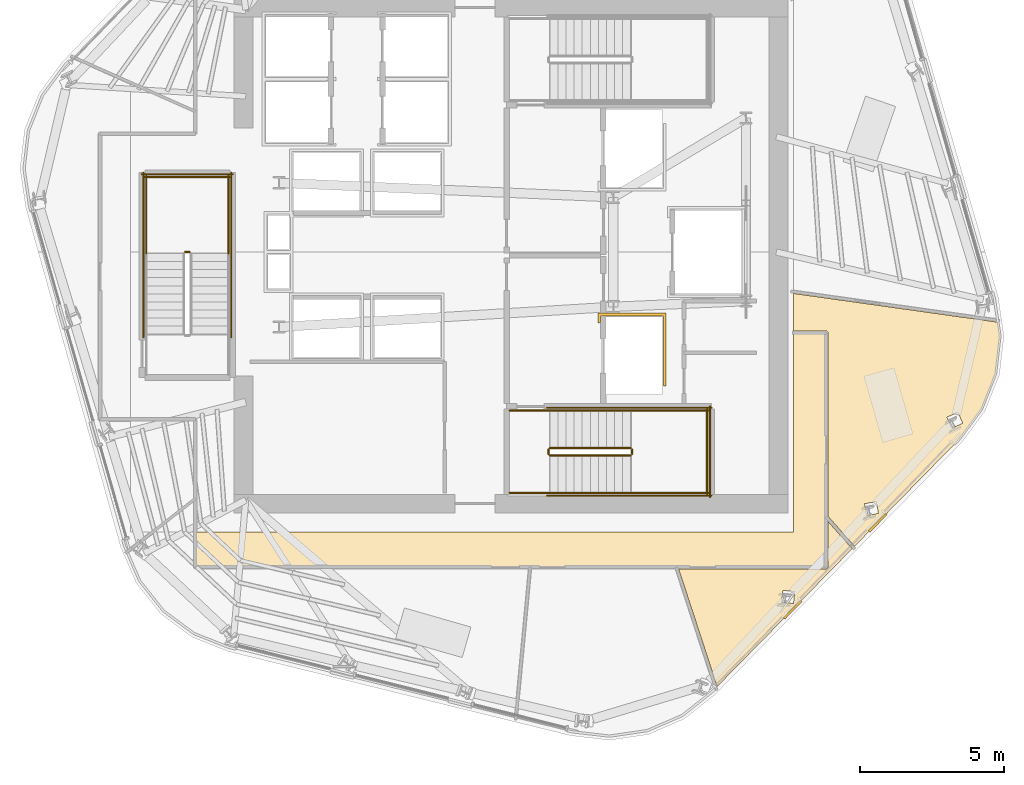
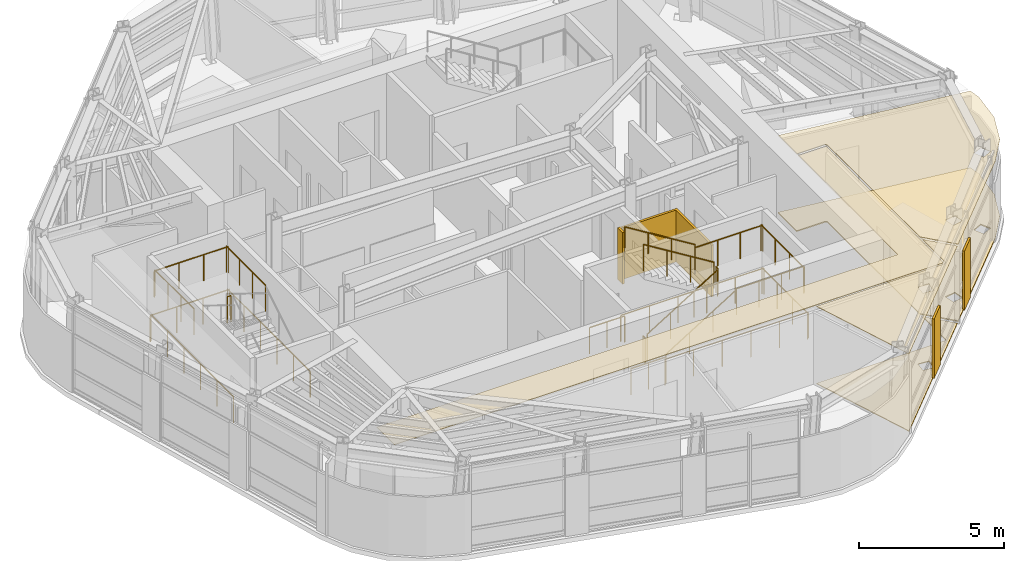
# One storey, part 10 of 13: 21 railings, 8 coverings.
"""IFC4 building model written with IfcOpenShell, lengths in metres."""

from ifc_helpers import new_model, si_unit, direction, frame, origin, origin_2d, place, context, subcontext, project, spatial, polyline, circle, outline, extrude, material, layer, layer_set, type_object, element, save


model = new_model("IFC4")

# Units and contexts
model_context = context("Model", 3, precision=1e-05, world=origin(), true_north=direction((0.0, 1.0)))
body_context = subcontext(model_context, "Body", "Model", "MODEL_VIEW")
ifc_project = project(units=[si_unit("LENGTHUNIT", "METRE"), si_unit("AREAUNIT", "SQUARE_METRE"), si_unit("VOLUMEUNIT", "CUBIC_METRE"), si_unit("PLANEANGLEUNIT", "RADIAN"), si_unit("MASSUNIT", "GRAM", prefix="KILO")], contexts=[model_context])

# Site, building, storey
site_placement = place(None, origin())
site = spatial("IfcSite", under=ifc_project, at=site_placement, CompositionType="ELEMENT")
building_placement = place(site_placement, origin())
building = spatial("IfcBuilding", under=site, at=building_placement, Name="Valkerne Bourse Tower", CompositionType="ELEMENT")
storey_placement = place(building_placement, frame((0.0, 0.0, 220.800048828125)))
storey = spatial("IfcBuildingStorey", under=building, at=storey_placement, Name="L56", CompositionType="ELEMENT", Elevation=220.800048828125)

# Coverings
ifc_material_1 = material(Name="Mineral Fiber Acoustic Ceiling Tile", Category="acoustic")
ifc_layer_1 = layer(ifc_material_1, 0.02490234375)
ifc_layer_set_1 = layer_set([ifc_layer_1], Name="Mineral Fiber Acoustic Ceiling Tile")
covering_type_1 = type_object("IfcCoveringType", Name="COV-CEIL-ACT", PredefinedType="CEILING", material=ifc_layer_set_1)
covering_1_placement = place(storey_placement, frame((0.0, 0.0, 3.25)))
element("IfcCovering", 1, at=covering_1_placement, inside=storey, type_object=covering_type_1, Name="L56 Suspended Ceiling 04", PredefinedType="CEILING", context=body_context, shape_type="SweptSolid", body=[
    extrude(outline(polyline([(57.74267578125, 16.0146484375), (57.775390625, 16.038330078125), (57.788818359375, 16.07666015625), (57.7890625, 17.661376953125), (58.62890625, 16.715087890625), (53.94677734375, 11.931396484375), (52.61328125, 16.010986328125), (57.74267578125, 16.0146484375)]), holes=[polyline([(56.63720703125, 15.225830078125), (56.227783203125, 15.2666015625), (56.22607421875, 15.265380859375), (56.185546875, 14.853271484375), (56.59521484375, 14.8125), (56.5966796875, 14.813720703125), (56.63720703125, 15.225830078125)])]), origin(), (0.0, 0.0, 1.0), 0.02490234375),
])
covering_2_placement = place(storey_placement, frame((0.0, 0.0, 3.25)))
element("IfcCovering", 2, at=covering_2_placement, inside=storey, type_object=covering_type_1, Name="L56 Suspended Ceiling 06", PredefinedType="CEILING", context=body_context, shape_type="SweptSolid", body=[
    extrude(outline(polyline([(63.11279296875, 21.5537109375), (62.320556640625, 20.48681640625), (58.7119140625, 16.7998046875), (57.7890625, 17.839111328125), (57.786865234375, 24.217529296875), (57.76171875, 24.255126953125), (57.723388671875, 24.268798828125), (56.60009765625, 24.26904296875), (56.60009765625, 25.56298828125), (63.6796875, 24.568115234375), (63.750244140625, 24.09130859375), (63.598388671875, 22.780517578125), (63.11279296875, 21.5537109375)]), holes=[polyline([(59.541259765625, 17.936767578125), (59.468017578125, 18.34423828125), (59.06298828125, 18.272216796875), (59.0615234375, 18.2705078125), (59.134765625, 17.863037109375), (59.539794921875, 17.93505859375), (59.541259765625, 17.936767578125)]), polyline([(62.4658203125, 21.067138671875), (62.29150390625, 21.442626953125), (61.91796875, 21.2705078125), (61.9169921875, 21.268310546875), (62.09130859375, 20.892578125), (62.46484375, 21.06494140625), (62.4658203125, 21.067138671875)])]), origin(), (0.0, 0.0, 1.0), 0.02490234375),
])
ifc_material_2 = material(Name="Bronze Anodised Aluminium AA 6063-T6", Category="aluminium")
ifc_layer_2 = layer(ifc_material_2, 0.030029296875)
ifc_layer_set_2 = layer_set([ifc_layer_2], Name="Bronze Anodised Aluminium AA 6063-T6")
covering_type_2 = type_object("IfcCoveringType", Name="COV-CEIL-METAL", PredefinedType="CEILING", material=ifc_layer_set_2)
covering_3_placement = place(storey_placement, frame((0.0, 0.0, 3.25)))
element("IfcCovering", 3, at=covering_3_placement, inside=storey, type_object=covering_type_2, Name="L56 Suspended Ceiling 01", PredefinedType="CEILING", context=body_context, shape_type="SweptSolid", body=[
    extrude(outline(polyline([(35.85400390625, 17.300048828125), (56.60009765625, 17.300048828125), (56.60009765625, 24.196044921875), (57.716064453125, 24.196044921875), (57.716064453125, 16.083984375), (35.85400390625, 16.083984375), (35.85400390625, 17.300048828125)])), origin(), (0.0, 0.0, 1.0), 0.02490234375),
])
ifc_layer_3 = layer(ifc_material_2, 0.06005859375)
ifc_layer_set_3 = layer_set([ifc_layer_3], Name="Bronze Anodised Aluminium AA 6063-T6")
covering_type_3 = type_object("IfcCoveringType", Name="COV-CRN-ALUM", PredefinedType="CLADDING", material=ifc_layer_set_3)
covering_4_placement = place(storey_placement, origin())
element("IfcCovering", 4, at=covering_4_placement, inside=storey, type_object=covering_type_3, Name="L56 Wind-Shaped Corner Aluminium Cladding 02", PredefinedType="CLADDING", context=body_context, shape_type="SweptSolid", body=[
    extrude(outline(polyline([(59.248046875, 17.284912109375), (59.190673828125, 17.340576171875), (59.778076171875, 17.94091796875), (59.835693359375, 17.885009765625), (59.248046875, 17.284912109375)])), origin(), (0.0, 0.0, 1.0), 2.5),
])
covering_5_placement = place(storey_placement, origin())
element("IfcCovering", 5, at=covering_5_placement, inside=storey, type_object=covering_type_3, Name="L56 Wind-Shaped Corner Aluminium Cladding 03", PredefinedType="CLADDING", context=body_context, shape_type="SweptSolid", body=[
    extrude(outline(polyline([(56.302001953125, 14.274658203125), (56.244384765625, 14.330078125), (56.831787109375, 14.930419921875), (56.889404296875, 14.874755859375), (56.302001953125, 14.274658203125)])), origin(), (0.0, 0.0, 1.0), 2.5),
])
ifc_material_3 = material(Name="Galvanised Painted Steel", Category="steel")
ifc_layer_4 = layer(ifc_material_3, 0.044921875)
ifc_layer_set_4 = layer_set([ifc_layer_4], Name="Galvanised Painted Steel")
covering_type_4 = type_object("IfcCoveringType", Name="COV-FLR-RAF", PredefinedType="FLOORING", material=ifc_layer_set_4)
covering_6_placement = place(storey_placement, origin())
element("IfcCovering", 6, at=covering_6_placement, inside=storey, type_object=covering_type_4, Name="L56 Floor Finish 06", PredefinedType="FLOORING", context=body_context, shape_type="SweptSolid", body=[
    extrude(outline(polyline([(63.11279296875, 21.5537109375), (62.320556640625, 20.48681640625), (58.7119140625, 16.7998046875), (57.7890625, 17.839111328125), (57.786865234375, 24.217529296875), (57.76171875, 24.255126953125), (57.723388671875, 24.268798828125), (56.60009765625, 24.26904296875), (56.60009765625, 25.56298828125), (63.6796875, 24.568115234375), (63.750244140625, 24.09130859375), (63.598388671875, 22.780517578125), (63.11279296875, 21.5537109375)]), holes=[polyline([(59.541259765625, 17.936767578125), (59.468017578125, 18.34423828125), (59.06298828125, 18.272216796875), (59.0615234375, 18.2705078125), (59.134765625, 17.863037109375), (59.539794921875, 17.93505859375), (59.541259765625, 17.936767578125)]), polyline([(62.4658203125, 21.067138671875), (62.29150390625, 21.442626953125), (61.91796875, 21.2705078125), (61.9169921875, 21.268310546875), (62.09130859375, 20.892578125), (62.46484375, 21.06494140625), (62.4658203125, 21.067138671875)])]), origin(), (0.0, 0.0, 1.0), 0.044921875),
])
ifc_material_4 = material(Name="Polished Granite Stone", Category="masonry")
ifc_layer_5 = layer(ifc_material_4, 0.030029296875)
ifc_layer_set_5 = layer_set([ifc_layer_5], Name="Polished Granite Stone")
covering_type_5 = type_object("IfcCoveringType", Name="COV-FLR-TERRAZZO", PredefinedType="FLOORING", material=ifc_layer_set_5)
covering_7_placement = place(storey_placement, origin())
element("IfcCovering", 7, at=covering_7_placement, inside=storey, type_object=covering_type_5, Name="L56 Floor Finish 04", PredefinedType="FLOORING", context=body_context, shape_type="SweptSolid", body=[
    extrude(outline(polyline([(57.74267578125, 16.0146484375), (57.775390625, 16.038330078125), (57.788818359375, 16.07666015625), (57.7890625, 17.661376953125), (58.62890625, 16.715087890625), (53.94677734375, 11.931396484375), (52.61328125, 16.010986328125), (57.74267578125, 16.0146484375)]), holes=[polyline([(56.63720703125, 15.225830078125), (56.227783203125, 15.2666015625), (56.22607421875, 15.265380859375), (56.185546875, 14.853271484375), (56.59521484375, 14.8125), (56.5966796875, 14.813720703125), (56.63720703125, 15.225830078125)])]), origin(), (0.0, 0.0, 1.0), 0.030029296875),
])
ifc_material_5 = material(Name="Gypsum Shaftwall Liner Board", Category="gypsum")
ifc_layer_6 = layer(ifc_material_5, 0.080078125)
ifc_layer_set_6 = layer_set([ifc_layer_6], Name="Gypsum Shaftwall Liner Board")
covering_type_6 = type_object("IfcCoveringType", Name="COV-SHF-CLAD", PredefinedType="CLADDING", material=ifc_layer_set_6)
covering_8_placement = place(storey_placement, origin())
element("IfcCovering", 8, at=covering_8_placement, inside=storey, type_object=covering_type_6, Name="L56 Hoistway & Riser Shaftwall Liner 05", PredefinedType="CLADDING", context=body_context, shape_type="SweptSolid", body=[
    extrude(outline(polyline([(52.179931640625, 22.35009765625), (52.090087890625, 22.35009765625), (52.090087890625, 24.7900390625), (49.909912109375, 24.7900390625), (49.909912109375, 24.560791015625), (49.869384765625, 24.550537109375), (49.827880859375, 24.53564453125), (49.820068359375, 24.531982421875), (49.820068359375, 24.8798828125), (52.179931640625, 24.8798828125), (52.179931640625, 22.35009765625)])), origin(), (0.0, 0.0, 1.0), 2.179931640625),
])

# Railings
railing_type_1 = type_object("IfcRailingType", Name="RLG-ST-GUARD-1120", PredefinedType="GUARDRAIL", material=ifc_material_3)
railing_1_placement = place(storey_placement, frame((48.14990234375, 19.949951171875, 0.172607421875)))
element("IfcRailing", 9, at=railing_1_placement, inside=storey, type_object=railing_type_1, Name="L56 ST-1 stair guard 1", PredefinedType="GUARDRAIL", context=body_context, shape_type="SweptSolid", body=[
    extrude(circle(Radius=0.02392578125, at=origin_2d()), frame((0.0, 0.0, 1.09619140625), z_axis=(0.851089632645, 0.0, 0.525020415988), x_axis=(0.0, 1.0, 0.0)), (0.0, 0.0, 1.0), 3.2900390625),
    extrude(circle(Radius=0.02099609375, at=origin_2d()), origin(), (0.0, 0.0, 1.0), 1.072021484375),
    extrude(circle(Radius=0.02099609375, at=origin_2d()), frame((0.933349609375, 0.0, 0.57568359375)), (0.0, 0.0, 1.0), 1.072021484375),
    extrude(circle(Radius=0.02099609375, at=origin_2d()), frame((1.86669921875, 0.0, 1.151611328125)), (0.0, 0.0, 1.0), 1.072021484375),
    extrude(circle(Radius=0.02099609375, at=origin_2d()), frame((2.800048828125, 0.0, 1.727294921875)), (0.0, 0.0, 1.0), 1.072021484375),
])
railing_2_placement = place(storey_placement, frame((51.0, 20.0, 1.89990234375)))
element("IfcRailing", 10, at=railing_2_placement, inside=storey, type_object=railing_type_1, Name="L56 ST-1 stair guard 2", PredefinedType="GUARDRAIL", context=body_context, shape_type="SweptSolid", body=[
    extrude(circle(Radius=0.02392578125, at=origin_2d()), frame((0.0, 0.0, 1.09619140625), z_axis=(0.0, 1.0, 0.0), x_axis=(-1.0, 0.0, 0.0)), (0.0, 0.0, 1.0), 0.14990234375),
    extrude(circle(Radius=0.02099609375, at=origin_2d()), origin(), (0.0, 0.0, 1.0), 1.072021484375),
    extrude(circle(Radius=0.02099609375, at=origin_2d()), frame((0.0, 0.14990234375, 0.0)), (0.0, 0.0, 1.0), 1.072021484375),
])
for number, where, name in (
    (11, (50.949951171875, 18.64990234375, 1.89990234375), "L56 ST-1 stair guard 3"),
    (12, (50.949951171875, 21.5, 1.89990234375), "L56 ST-1 stair guard 4"),
):
    element("IfcRailing", number, at=place(storey_placement, frame(where)), inside=storey, type_object=railing_type_1, Name=name, PredefinedType="GUARDRAIL", context=body_context, shape_type="SweptSolid", body=[
        extrude(circle(Radius=0.02392578125, at=origin_2d()), frame((0.0, 0.0, 1.09619140625), z_axis=(1.0, 0.0, 0.0), x_axis=(0.0, 1.0, 0.0)), (0.0, 0.0, 1.0), 2.699951171875),
        extrude(circle(Radius=0.02099609375, at=origin_2d()), origin(), (0.0, 0.0, 1.0), 1.072021484375),
        extrude(circle(Radius=0.02099609375, at=origin_2d()), frame((0.89990234375, 0.0, 0.0)), (0.0, 0.0, 1.0), 1.072021484375),
        extrude(circle(Radius=0.02099609375, at=origin_2d()), frame((1.800048828125, 0.0, 0.0)), (0.0, 0.0, 1.0), 1.072021484375),
        extrude(circle(Radius=0.02099609375, at=origin_2d()), frame((2.699951171875, 0.0, 0.0)), (0.0, 0.0, 1.0), 1.072021484375),
    ])
railing_3_placement = place(storey_placement, frame((53.60009765625, 18.60009765625, 1.89990234375)))
element("IfcRailing", 13, at=railing_3_placement, inside=storey, type_object=railing_type_1, Name="L56 ST-1 stair guard 5", PredefinedType="GUARDRAIL", context=body_context, shape_type="SweptSolid", body=[
    extrude(circle(Radius=0.02392578125, at=origin_2d()), frame((0.0, 0.0, 1.09619140625), z_axis=(0.0, 1.0, 0.0), x_axis=(-1.0, 0.0, 0.0)), (0.0, 0.0, 1.0), 2.949951171875),
    extrude(circle(Radius=0.02099609375, at=origin_2d()), origin(), (0.0, 0.0, 1.0), 1.072021484375),
    extrude(circle(Radius=0.02099609375, at=origin_2d()), frame((0.0, 0.9833984375, 0.0)), (0.0, 0.0, 1.0), 1.072021484375),
    extrude(circle(Radius=0.02099609375, at=origin_2d()), frame((0.0, 1.966552734375, 0.0)), (0.0, 0.0, 1.0), 1.072021484375),
    extrude(circle(Radius=0.02099609375, at=origin_2d()), frame((0.0, 2.949951171875, 0.0)), (0.0, 0.0, 1.0), 1.072021484375),
])
railing_4_placement = place(storey_placement, frame((50.949951171875, 20.199951171875, 2.07275390625)))
element("IfcRailing", 14, at=railing_4_placement, inside=storey, type_object=railing_type_1, Name="L56 ST-1 stair guard 6", PredefinedType="GUARDRAIL", context=body_context, shape_type="SweptSolid", body=[
    extrude(circle(Radius=0.02392578125, at=origin_2d()), frame((0.0, 0.0, 1.09619140625), z_axis=(-0.851089632645, 0.0, 0.525020415988), x_axis=(0.0, -1.0, 0.0)), (0.0, 0.0, 1.0), 3.2900390625),
    extrude(circle(Radius=0.02099609375, at=origin_2d()), origin(), (0.0, 0.0, 1.0), 1.072021484375),
    extrude(circle(Radius=0.02099609375, at=origin_2d()), frame((-0.933349609375, 0.0, 0.57568359375)), (0.0, 0.0, 1.0), 1.072021484375),
    extrude(circle(Radius=0.02099609375, at=origin_2d()), frame((-1.86669921875, 0.0, 1.151611328125)), (0.0, 0.0, 1.0), 1.072021484375),
    extrude(circle(Radius=0.02099609375, at=origin_2d()), frame((-2.800048828125, 0.0, 1.727294921875)), (0.0, 0.0, 1.0), 1.072021484375),
])
railing_5_placement = place(storey_placement, frame((48.10009765625, 20.0, 0.0)))
element("IfcRailing", 15, at=railing_5_placement, inside=storey, type_object=railing_type_1, Name="L56 ST-1 stair guard 7", PredefinedType="GUARDRAIL", context=body_context, shape_type="SweptSolid", body=[
    extrude(circle(Radius=0.02392578125, at=origin_2d()), frame((0.0, 0.0, 1.09619140625), z_axis=(0.0, 1.0, 0.0), x_axis=(-1.0, 0.0, 0.0)), (0.0, 0.0, 1.0), 0.14990234375),
    extrude(circle(Radius=0.02099609375, at=origin_2d()), origin(), (0.0, 0.0, 1.0), 1.072021484375),
    extrude(circle(Radius=0.02099609375, at=origin_2d()), frame((0.0, 0.14990234375, 0.0)), (0.0, 0.0, 1.0), 1.072021484375),
])
for number, where, name in (
    (16, (46.75, 18.64990234375, 0.0), "L56 ST-1 stair guard 8"),
    (17, (46.75, 21.5, 0.0), "L56 ST-1 stair guard 9"),
):
    element("IfcRailing", number, at=place(storey_placement, frame(where)), inside=storey, type_object=railing_type_1, Name=name, PredefinedType="GUARDRAIL", context=body_context, shape_type="SweptSolid", body=[
        extrude(circle(Radius=0.02392578125, at=origin_2d()), frame((0.0, 0.0, 1.09619140625), z_axis=(1.0, 0.0, 0.0), x_axis=(0.0, 1.0, 0.0)), (0.0, 0.0, 1.0), 1.39990234375),
        extrude(circle(Radius=0.02099609375, at=origin_2d()), origin(), (0.0, 0.0, 1.0), 1.072021484375),
        extrude(circle(Radius=0.02099609375, at=origin_2d()), frame((0.699951171875, 0.0, 0.0)), (0.0, 0.0, 1.0), 1.072021484375),
        extrude(circle(Radius=0.02099609375, at=origin_2d()), frame((1.39990234375, 0.0, 0.0)), (0.0, 0.0, 1.0), 1.072021484375),
    ])
for number, where, name in (
    (18, (48.050048828125, 18.550048828125, 0.0), "L56 ST-1 stair guard 10"),
    (19, (48.050048828125, 21.60009765625, 0.0), "L56 ST-1 stair guard 11"),
):
    element("IfcRailing", number, at=place(storey_placement, frame(where)), inside=storey, type_object=railing_type_1, Name=name, PredefinedType="GUARDRAIL", context=body_context, shape_type="SweptSolid", body=[
        extrude(circle(Radius=0.02392578125, at=origin_2d()), frame((0.0, 0.0, 1.09619140625), z_axis=(1.0, 0.0, 0.0), x_axis=(0.0, 1.0, 0.0)), (0.0, 0.0, 1.0), 5.699951171875),
        extrude(circle(Radius=0.02099609375, at=origin_2d()), origin(), (0.0, 0.0, 1.0), 1.072021484375),
        extrude(circle(Radius=0.02099609375, at=origin_2d()), frame((1.139892578125, 0.0, 0.0)), (0.0, 0.0, 1.0), 1.072021484375),
        extrude(circle(Radius=0.02099609375, at=origin_2d()), frame((2.280029296875, 0.0, 0.0)), (0.0, 0.0, 1.0), 1.072021484375),
        extrude(circle(Radius=0.02099609375, at=origin_2d()), frame((3.419921875, 0.0, 0.0)), (0.0, 0.0, 1.0), 1.072021484375),
        extrude(circle(Radius=0.02099609375, at=origin_2d()), frame((4.56005859375, 0.0, 0.0)), (0.0, 0.0, 1.0), 1.072021484375),
        extrude(circle(Radius=0.02099609375, at=origin_2d()), frame((5.699951171875, 0.0, 0.0)), (0.0, 0.0, 1.0), 1.072021484375),
    ])
railing_6_placement = place(storey_placement, frame((53.699951171875, 18.5, 0.0)))
element("IfcRailing", 20, at=railing_6_placement, inside=storey, type_object=railing_type_1, Name="L56 ST-1 stair guard 12", PredefinedType="GUARDRAIL", context=body_context, shape_type="SweptSolid", body=[
    extrude(circle(Radius=0.02392578125, at=origin_2d()), frame((0.0, 0.0, 1.09619140625), z_axis=(0.0, 1.0, 0.0), x_axis=(-1.0, 0.0, 0.0)), (0.0, 0.0, 1.0), 3.14990234375),
    extrude(circle(Radius=0.02099609375, at=origin_2d()), origin(), (0.0, 0.0, 1.0), 1.072021484375),
    extrude(circle(Radius=0.02099609375, at=origin_2d()), frame((0.0, 1.050048828125, 0.0)), (0.0, 0.0, 1.0), 1.072021484375),
    extrude(circle(Radius=0.02099609375, at=origin_2d()), frame((0.0, 2.099853515625, 0.0)), (0.0, 0.0, 1.0), 1.072021484375),
    extrude(circle(Radius=0.02099609375, at=origin_2d()), frame((0.0, 3.14990234375, 0.0)), (0.0, 0.0, 1.0), 1.072021484375),
])
railing_7_placement = place(storey_placement, frame((35.64990234375, 27.0, 1.89990234375)))
element("IfcRailing", 21, at=railing_7_placement, inside=storey, type_object=railing_type_1, Name="L56 ST-3 stair guard 2", PredefinedType="GUARDRAIL", context=body_context, shape_type="SweptSolid", body=[
    extrude(circle(Radius=0.02392578125, at=origin_2d()), frame((0.0, 0.0, 1.09619140625), z_axis=(-1.0, 0.0, 0.0), x_axis=(0.0, -1.0, 0.0)), (0.0, 0.0, 1.0), 0.14990234375),
    extrude(circle(Radius=0.02099609375, at=origin_2d()), origin(), (0.0, 0.0, 1.0), 1.072021484375),
    extrude(circle(Radius=0.02099609375, at=origin_2d()), frame((-0.14990234375, 0.0, 0.0)), (0.0, 0.0, 1.0), 1.072021484375),
])
for number, where, name in (
    (22, (37.0, 26.949951171875, 1.89990234375), "L56 ST-3 stair guard 3"),
    (23, (34.14990234375, 26.949951171875, 1.89990234375), "L56 ST-3 stair guard 4"),
):
    element("IfcRailing", number, at=place(storey_placement, frame(where)), inside=storey, type_object=railing_type_1, Name=name, PredefinedType="GUARDRAIL", context=body_context, shape_type="SweptSolid", body=[
        extrude(circle(Radius=0.02392578125, at=origin_2d()), frame((0.0, 0.0, 1.09619140625), z_axis=(0.0, 1.0, 0.0), x_axis=(-1.0, 0.0, 0.0)), (0.0, 0.0, 1.0), 2.699951171875),
        extrude(circle(Radius=0.02099609375, at=origin_2d()), origin(), (0.0, 0.0, 1.0), 1.072021484375),
        extrude(circle(Radius=0.02099609375, at=origin_2d()), frame((0.0, 0.89990234375, 0.0)), (0.0, 0.0, 1.0), 1.072021484375),
        extrude(circle(Radius=0.02099609375, at=origin_2d()), frame((0.0, 1.800048828125, 0.0)), (0.0, 0.0, 1.0), 1.072021484375),
        extrude(circle(Radius=0.02099609375, at=origin_2d()), frame((0.0, 2.699951171875, 0.0)), (0.0, 0.0, 1.0), 1.072021484375),
    ])
railing_8_placement = place(storey_placement, frame((37.050048828125, 29.60009765625, 1.89990234375)))
element("IfcRailing", 24, at=railing_8_placement, inside=storey, type_object=railing_type_1, Name="L56 ST-3 stair guard 5", PredefinedType="GUARDRAIL", context=body_context, shape_type="SweptSolid", body=[
    extrude(circle(Radius=0.02392578125, at=origin_2d()), frame((0.0, 0.0, 1.09619140625), z_axis=(-1.0, 0.0, 0.0), x_axis=(0.0, -1.0, 0.0)), (0.0, 0.0, 1.0), 2.949951171875),
    extrude(circle(Radius=0.02099609375, at=origin_2d()), origin(), (0.0, 0.0, 1.0), 1.072021484375),
    extrude(circle(Radius=0.02099609375, at=origin_2d()), frame((-0.9833984375, 0.0, 0.0)), (0.0, 0.0, 1.0), 1.072021484375),
    extrude(circle(Radius=0.02099609375, at=origin_2d()), frame((-1.966552734375, 0.0, 0.0)), (0.0, 0.0, 1.0), 1.072021484375),
    extrude(circle(Radius=0.02099609375, at=origin_2d()), frame((-2.949951171875, 0.0, 0.0)), (0.0, 0.0, 1.0), 1.072021484375),
])
for number, where, name in (
    (25, (37.10009765625, 24.050048828125, 0.0), "L56 ST-3 stair guard 10"),
    (26, (34.050048828125, 24.050048828125, 0.0), "L56 ST-3 stair guard 11"),
):
    element("IfcRailing", number, at=place(storey_placement, frame(where)), inside=storey, type_object=railing_type_1, Name=name, PredefinedType="GUARDRAIL", context=body_context, shape_type="SweptSolid", body=[
        extrude(circle(Radius=0.02392578125, at=origin_2d()), frame((0.0, 0.0, 1.09619140625), z_axis=(0.0, 1.0, 0.0), x_axis=(-1.0, 0.0, 0.0)), (0.0, 0.0, 1.0), 5.699951171875),
        extrude(circle(Radius=0.02099609375, at=origin_2d()), origin(), (0.0, 0.0, 1.0), 1.072021484375),
        extrude(circle(Radius=0.02099609375, at=origin_2d()), frame((0.0, 1.139892578125, 0.0)), (0.0, 0.0, 1.0), 1.072021484375),
        extrude(circle(Radius=0.02099609375, at=origin_2d()), frame((0.0, 2.280029296875, 0.0)), (0.0, 0.0, 1.0), 1.072021484375),
        extrude(circle(Radius=0.02099609375, at=origin_2d()), frame((0.0, 3.419921875, 0.0)), (0.0, 0.0, 1.0), 1.072021484375),
        extrude(circle(Radius=0.02099609375, at=origin_2d()), frame((0.0, 4.56005859375, 0.0)), (0.0, 0.0, 1.0), 1.072021484375),
        extrude(circle(Radius=0.02099609375, at=origin_2d()), frame((0.0, 5.699951171875, 0.0)), (0.0, 0.0, 1.0), 1.072021484375),
    ])
railing_9_placement = place(storey_placement, frame((37.14990234375, 29.699951171875, 0.0)))
element("IfcRailing", 27, at=railing_9_placement, inside=storey, type_object=railing_type_1, Name="L56 ST-3 stair guard 12", PredefinedType="GUARDRAIL", context=body_context, shape_type="SweptSolid", body=[
    extrude(circle(Radius=0.02392578125, at=origin_2d()), frame((0.0, 0.0, 1.09619140625), z_axis=(-1.0, 0.0, 0.0), x_axis=(0.0, -1.0, 0.0)), (0.0, 0.0, 1.0), 3.14990234375),
    extrude(circle(Radius=0.02099609375, at=origin_2d()), origin(), (0.0, 0.0, 1.0), 1.072021484375),
    extrude(circle(Radius=0.02099609375, at=origin_2d()), frame((-1.050048828125, 0.0, 0.0)), (0.0, 0.0, 1.0), 1.072021484375),
    extrude(circle(Radius=0.02099609375, at=origin_2d()), frame((-2.099853515625, 0.0, 0.0)), (0.0, 0.0, 1.0), 1.072021484375),
    extrude(circle(Radius=0.02099609375, at=origin_2d()), frame((-3.14990234375, 0.0, 0.0)), (0.0, 0.0, 1.0), 1.072021484375),
])
ifc_material_6 = material(Name="Stainless Steel AISI 316", Category="steel")
railing_type_2 = type_object("IfcRailingType", Name="RLG-ST-HANDRAIL-900", PredefinedType="HANDRAIL", material=ifc_material_6)
railing_10_placement = place(storey_placement, frame((48.14990234375, 18.64990234375, 0.345458984375)))
element("IfcRailing", 28, at=railing_10_placement, inside=storey, type_object=railing_type_2, Name="L56 ST-1 stair handrail 1", PredefinedType="HANDRAIL", context=body_context, shape_type="SweptSolid", body=[
    extrude(circle(Radius=0.02392578125, at=origin_2d()), frame((0.0, 0.0, 0.8759765625), z_axis=(0.851089632645, 0.0, 0.525020415988), x_axis=(0.0, 1.0, 0.0)), (0.0, 0.0, 1.0), 3.2900390625),
    extrude(circle(Radius=0.02099609375, at=origin_2d()), origin(), (0.0, 0.0, 1.0), 0.851806640625),
    extrude(circle(Radius=0.02099609375, at=origin_2d()), frame((0.933349609375, 0.0, 0.57568359375)), (0.0, 0.0, 1.0), 0.851806640625),
    extrude(circle(Radius=0.02099609375, at=origin_2d()), frame((1.86669921875, 0.0, 1.151611328125)), (0.0, 0.0, 1.0), 0.851806640625),
    extrude(circle(Radius=0.02099609375, at=origin_2d()), frame((2.800048828125, 0.0, 1.727294921875)), (0.0, 0.0, 1.0), 0.851806640625),
])
railing_11_placement = place(storey_placement, frame((50.949951171875, 21.5, 2.245361328125)))
element("IfcRailing", 29, at=railing_11_placement, inside=storey, type_object=railing_type_2, Name="L56 ST-1 stair handrail 2", PredefinedType="HANDRAIL", context=body_context, shape_type="SweptSolid", body=[
    extrude(circle(Radius=0.02392578125, at=origin_2d()), frame((0.0, 0.0, 0.8759765625), z_axis=(-0.851089632645, 0.0, 0.525020415988), x_axis=(0.0, -1.0, 0.0)), (0.0, 0.0, 1.0), 3.2900390625),
    extrude(circle(Radius=0.02099609375, at=origin_2d()), origin(), (0.0, 0.0, 1.0), 0.851806640625),
    extrude(circle(Radius=0.02099609375, at=origin_2d()), frame((-0.933349609375, 0.0, 0.57568359375)), (0.0, 0.0, 1.0), 0.851806640625),
    extrude(circle(Radius=0.02099609375, at=origin_2d()), frame((-1.86669921875, 0.0, 1.151611328125)), (0.0, 0.0, 1.0), 0.851806640625),
    extrude(circle(Radius=0.02099609375, at=origin_2d()), frame((-2.800048828125, 0.0, 1.727294921875)), (0.0, 0.0, 1.0), 0.851806640625),
])

save(model, "model.ifc")
